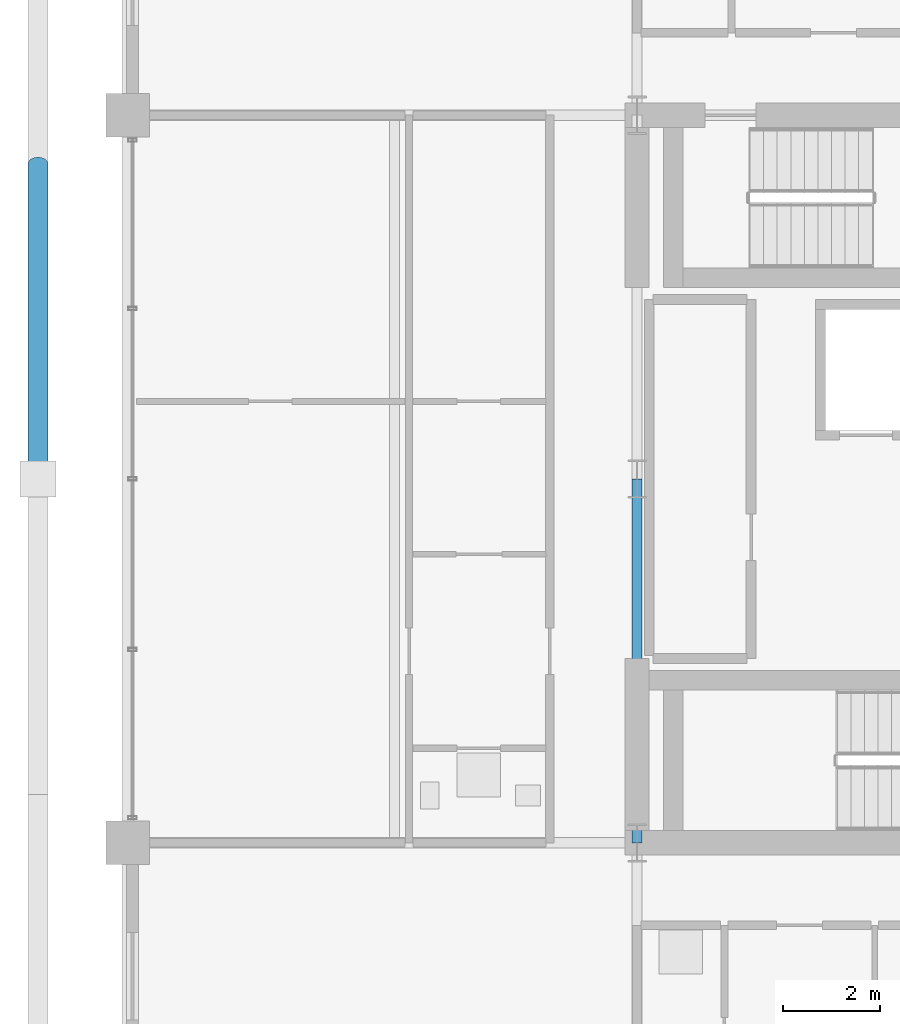
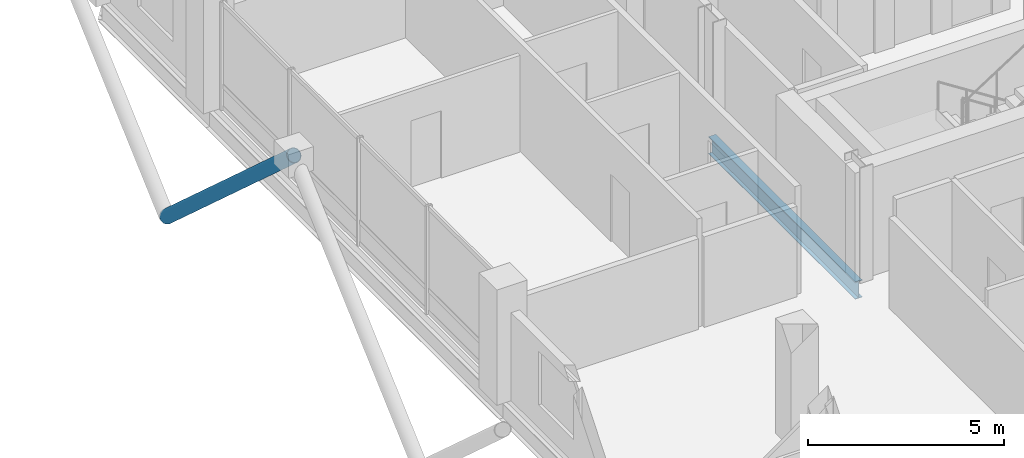
# One storey, part 8 of 24: 1 beam, 1 member.
"""IFC4 building model written with IfcOpenShell, lengths in metres."""

from ifc_helpers import new_model, si_unit, direction, frame, origin, origin_2d, place, context, subcontext, project, spatial, hollow_circle, i_section, extrude, material, material_profile, profile_set, type_object, element, save


model = new_model("IFC4")

# Units and contexts
model_context = context("Model", 3, precision=1e-05, world=origin(), true_north=direction((0.0, 1.0)))
body_context = subcontext(model_context, "Body", "Model", "MODEL_VIEW")
ifc_project = project(units=[si_unit("LENGTHUNIT", "METRE"), si_unit("AREAUNIT", "SQUARE_METRE"), si_unit("VOLUMEUNIT", "CUBIC_METRE"), si_unit("PLANEANGLEUNIT", "RADIAN"), si_unit("MASSUNIT", "GRAM", prefix="KILO")], contexts=[model_context])

# Site, building, storey
site_placement = place(None, origin())
site = spatial("IfcSite", under=ifc_project, at=site_placement, CompositionType="ELEMENT")
building_placement = place(site_placement, origin())
building = spatial("IfcBuilding", under=site, at=building_placement, Name="Barlavira Tower and Art Museum", CompositionType="ELEMENT")
storey_placement = place(building_placement, frame((0.0, 0.0, 225.89990234375)))
storey = spatial("IfcBuildingStorey", under=building, at=storey_placement, Name="L58", CompositionType="ELEMENT", Elevation=225.89990234375)

# Member
ifc_material = material(Name="Steel S355", Category="steel")
ifc_material_profile_1 = material_profile(ifc_material, hollow_circle(Radius=0.203125, WallThickness=0.01611328125, at=origin_2d()), Name="CHS 406.4x16.0")
ifc_profile_set_1 = profile_set([ifc_material_profile_1], Name="Steel S355")
member_type = type_object("IfcMemberType", Name="Pale-Metal Exoskeleton Diagrid Tube CHS 406x16 Steel S355", PredefinedType="BRACE", material=ifc_profile_set_1)
member_placement = place(storey_placement, frame((-18.85009765625, 6.5, -2.369873046875), z_axis=(0.0, -0.74330247547, 0.668955476815), x_axis=(1.0, 0.0, 0.0)))
element("IfcMember", 1, at=member_placement, inside=storey, type_object=member_type, Name="L58 Exoskeleton Diagrid Tube W", PredefinedType="BRACE", context=body_context, shape_type="SweptSolid", body=[
    extrude(hollow_circle(Radius=0.203125, WallThickness=0.01611328125, at=origin_2d()), origin(), (0.0, 0.0, 1.0), 8.744873046875),
])

# Beam
ifc_material_profile_2 = material_profile(ifc_material, i_section(OverallWidth=0.2109375, OverallDepth=0.5390625, WebThickness=0.01171875, FlangeThickness=0.018798828125, at=origin_2d()), Name="W530x109.0")
ifc_profile_set_2 = profile_set([ifc_material_profile_2], Name="Steel S355")
beam_type = type_object("IfcBeamType", Name="Zone 3-4 Primary Floor Girder W530x109 Steel S355", PredefinedType="BEAM", material=ifc_profile_set_2)
beam_placement = place(storey_placement, frame((-6.5, -7.5, -0.489501953125), z_axis=(0.0, 1.0, 0.0), x_axis=(-1.0, 0.0, 0.0)))
element("IfcBeam", 2, at=beam_placement, inside=storey, type_object=beam_type, Name="L58 Girder C-W1", PredefinedType="BEAM", context=body_context, shape_type="SweptSolid", body=[
    extrude(i_section(OverallWidth=0.2109375, OverallDepth=0.5390625, WebThickness=0.01171875, FlangeThickness=0.018798828125, at=origin_2d()), origin(), (0.0, 0.0, 1.0), 7.5),
])

save(model, "model.ifc")
